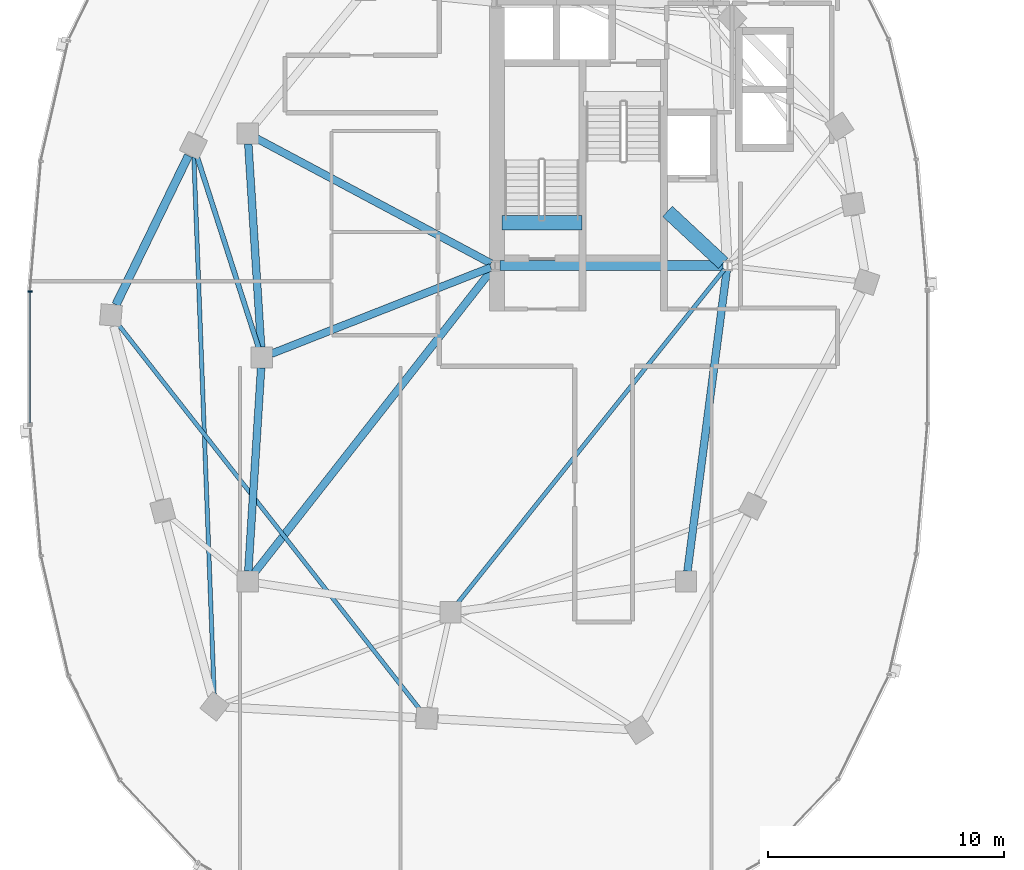
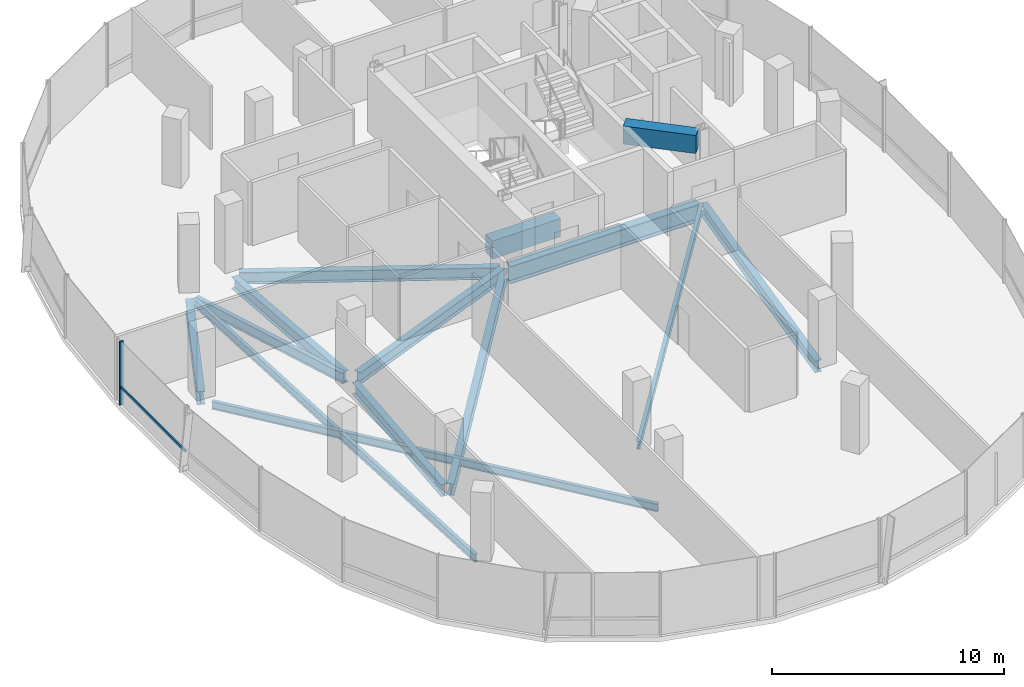
# One storey, part 4 of 25: 14 beams, 2 members, 1 element without a shape of its own.
"""IFC4 building model written with IfcOpenShell, lengths in metres."""

from ifc_helpers import new_model, si_unit, direction, frame, origin, origin_2d, place, context, subcontext, project, spatial, rectangle, i_section, extrude, material, material_profile, profile_set, type_object, element, aggregate, save


model = new_model("IFC4")

# Units and contexts
model_context = context("Model", 3, precision=1e-05, world=origin(), true_north=direction((0.0, 1.0)))
body_context = subcontext(model_context, "Body", "Model", "MODEL_VIEW")
ifc_project = project(units=[si_unit("LENGTHUNIT", "METRE"), si_unit("AREAUNIT", "SQUARE_METRE"), si_unit("VOLUMEUNIT", "CUBIC_METRE"), si_unit("PLANEANGLEUNIT", "RADIAN"), si_unit("MASSUNIT", "GRAM", prefix="KILO"), si_unit("THERMODYNAMICTEMPERATUREUNIT", "KELVIN"), si_unit("POWERUNIT", "WATT")], contexts=[model_context])

# Site, building, storey
site_placement = place(None, origin())
site = spatial("IfcSite", under=ifc_project, at=site_placement, CompositionType="ELEMENT")
building_placement = place(site_placement, origin())
building = spatial("IfcBuilding", under=site, at=building_placement, Name="Cundina Bronze Exchange", CompositionType="ELEMENT")
storey_placement = place(building_placement, frame((0.0, 0.0, 191.800048828125)))
storey = spatial("IfcBuildingStorey", under=building, at=storey_placement, Name="L50", CompositionType="ELEMENT", Elevation=191.800048828125)

# Beams
ifc_material_1 = material(Name="Concrete C60/75", Category="concrete")
ifc_material_profile_1 = material_profile(ifc_material_1, rectangle(XDim=0.60009765625, YDim=0.949951171875, at=origin_2d()), Name="RC600X950", Category="concrete")
ifc_profile_set_1 = profile_set([ifc_material_profile_1], Name="Concrete C60/75")
beam_type_1 = type_object("IfcBeamType", Name="BM-COUP-RC950", PredefinedType="LINTEL", material=ifc_profile_set_1)
beam_1_placement = place(storey_placement, frame((-31.02001953125, 5.719970703125, -0.47509765625), z_axis=(1.0, 0.0, 0.0), x_axis=(0.0, 1.0, 0.0)))
element("IfcBeam", 1, at=beam_1_placement, inside=storey, type_object=beam_type_1, Name="L50 Stair W1 Landing Header Beam", PredefinedType="LINTEL", context=body_context, shape_type="SweptSolid", body=[
    extrude(rectangle(XDim=0.60009765625, YDim=0.949951171875, at=origin_2d()), origin(), (0.0, 0.0, 1.0), 3.39990234375),
])
beam_2_placement = place(storey_placement, frame((-23.989990234375, 6.199951171875, 2.864990234375), z_axis=(0.731490439815, -0.681851696822, 0.0), x_axis=(0.681851696822, 0.731490439815, 0.0)))
element("IfcBeam", 2, at=beam_2_placement, inside=storey, type_object=beam_type_1, Name="L50 W Core Shear Coupling Lintel Beam", PredefinedType="LINTEL", context=body_context, shape_type="SweptSolid", body=[
    extrude(rectangle(XDim=0.60009765625, YDim=0.949951171875, at=origin_2d()), origin(), (0.0, 0.0, 1.0), 3.226318359375),
])
ifc_material_2 = material(Name="Steel ASTM A992 Grade 50", Category="steel")
ifc_material_profile_2 = material_profile(ifc_material_2, i_section(OverallWidth=0.2119140625, OverallDepth=0.5439453125, WebThickness=0.01318359375, FlangeThickness=0.021240234375, FilletRadius=0.013916015625, at=origin_2d()), Name="W21X83", Category="steel")
ifc_profile_set_2 = profile_set([ifc_material_profile_2], Name="Steel ASTM A992 Grade 50")
beam_type_2 = type_object("IfcBeamType", Name="BM-FLR-W21A", PredefinedType="BEAM", material=ifc_profile_set_2)
beam_3_placement = place(storey_placement, frame((-41.334228515625, 0.4169921875, -0.531982421875), z_axis=(-0.30669751302, 0.951807036908, 0.0), x_axis=(-0.951807036908, -0.30669751302, 0.0)))
element("IfcBeam", 3, at=beam_3_placement, inside=storey, type_object=beam_type_2, Name="L50 Leg W Radial Floor Beam 07", PredefinedType="BEAM", context=body_context, shape_type="SweptSolid", body=[
    extrude(i_section(OverallWidth=0.2119140625, OverallDepth=0.5439453125, WebThickness=0.01318359375, FlangeThickness=0.021240234375, FilletRadius=0.013916015625, at=origin_2d()), origin(), (0.0, 0.0, 1.0), 8.529541015625),
])
ifc_material_profile_3 = material_profile(ifc_material_2, i_section(OverallWidth=0.178955078125, OverallDepth=0.409912109375, WebThickness=0.0087890625, FlangeThickness=0.014404296875, FilletRadius=0.010986328125, at=origin_2d()), Name="W16X45", Category="steel")
ifc_profile_set_3 = profile_set([ifc_material_profile_3], Name="Steel ASTM A992 Grade 50")
beam_type_3 = type_object("IfcBeamType", Name="BM-JST-W16", PredefinedType="JOIST", material=ifc_profile_set_3)
beam_4_placement = place(storey_placement, frame((-21.572509765625, 3.746826171875, -0.465087890625), z_axis=(-0.624364266872, -0.781133319129, 0.0), x_axis=(0.781133319129, -0.624364266872, 0.0)))
element("IfcBeam", 4, at=beam_4_placement, inside=storey, type_object=beam_type_3, Name="L50 W Interior Core-to-Ring Joist 2", PredefinedType="JOIST", context=body_context, shape_type="SweptSolid", body=[
    extrude(i_section(OverallWidth=0.178955078125, OverallDepth=0.409912109375, WebThickness=0.0087890625, FlangeThickness=0.014404296875, FilletRadius=0.010986328125, at=origin_2d()), origin(), (0.0, 0.0, 1.0), 18.184814453125),
])
beam_5_placement = place(storey_placement, frame((-44.08154296875, 8.51220703125, -0.465087890625), z_axis=(0.037784933381, -0.999285894431, 0.0), x_axis=(0.999285894431, 0.037784933381, 0.0)))
element("IfcBeam", 5, at=beam_5_placement, inside=storey, type_object=beam_type_3, Name="L50 Leg W Lobe Floor Joist 07-10", PredefinedType="JOIST", context=body_context, shape_type="SweptSolid", body=[
    extrude(i_section(OverallWidth=0.178955078125, OverallDepth=0.409912109375, WebThickness=0.0087890625, FlangeThickness=0.014404296875, FilletRadius=0.010986328125, at=origin_2d()), origin(), (0.0, 0.0, 1.0), 22.8408203125),
])
beam_6_placement = place(storey_placement, frame((-47.299072265625, 1.416015625, -0.465087890625), z_axis=(0.616801484103, -0.787118751656, 0.0), x_axis=(0.787118751656, 0.616801484103, 0.0)))
element("IfcBeam", 6, at=beam_6_placement, inside=storey, type_object=beam_type_3, Name="L50 Leg W Lobe Floor Joist 08-11", PredefinedType="JOIST", context=body_context, shape_type="SweptSolid", body=[
    extrude(i_section(OverallWidth=0.178955078125, OverallDepth=0.409912109375, WebThickness=0.0087890625, FlangeThickness=0.014404296875, FilletRadius=0.010986328125, at=origin_2d()), origin(), (0.0, 0.0, 1.0), 20.7490234375),
])
ifc_material_profile_4 = material_profile(ifc_material_2, i_section(OverallWidth=0.324951171875, OverallDepth=0.615966796875, WebThickness=0.013916015625, FlangeThickness=0.021484375, FilletRadius=0.01611328125, at=origin_2d()), Name="W24X117", Category="steel")
ifc_profile_set_4 = profile_set([ifc_material_profile_4], Name="Steel ASTM A992 Grade 50")
beam_type_4 = type_object("IfcBeamType", Name="BM-RING-W24", PredefinedType="USERDEFINED", material=ifc_profile_set_4)
for number, where, z_axis, x_axis, name in (
    (7, (-41.7724609375, 9.06298828125, -0.568115234375), (0.063046519736, -0.998010589297, 0.0), (0.998010589297, 0.063046519736, 0.0), "L50 W Inner Structural Ring Girder 03"),
    (8, (-41.2275390625, -0.43701171875, -0.568115234375), (-0.063046519736, -0.998010589297, 0.0), (0.998010589297, -0.063046519736, 0.0), "L50 W Inner Structural Ring Girder 04"),
):
    element("IfcBeam", number, at=place(storey_placement, frame(where, z_axis=z_axis, x_axis=x_axis)), inside=storey, type_object=beam_type_4, Name=name, ObjectType="GIRDER", PredefinedType="USERDEFINED", context=body_context, shape_type="SweptSolid", body=[
        extrude(i_section(OverallWidth=0.324951171875, OverallDepth=0.615966796875, WebThickness=0.013916015625, FlangeThickness=0.021484375, FilletRadius=0.01611328125, at=origin_2d()), origin(), (0.0, 0.0, 1.0), 8.64306640625),
    ])
beam_7_placement = place(storey_placement, frame((-23.143310546875, -9.065673828125, -0.568115234375), z_axis=(0.129501251979, 0.991579258424, 0.0), x_axis=(-0.991579258424, 0.129501251979, 0.0)))
element("IfcBeam", 9, at=beam_7_placement, inside=storey, type_object=beam_type_4, Name="L50 W Inner Structural Ring Girder 07", ObjectType="GIRDER", PredefinedType="USERDEFINED", context=body_context, shape_type="SweptSolid", body=[
    extrude(i_section(OverallWidth=0.324951171875, OverallDepth=0.615966796875, WebThickness=0.013916015625, FlangeThickness=0.021484375, FilletRadius=0.01611328125, at=origin_2d()), origin(), (0.0, 0.0, 1.0), 12.8798828125),
])
beam_8_placement = place(storey_placement, frame((-31.482421875, 3.828125, -0.568115234375), z_axis=(-0.930404106569, -0.366535398673, 0.0), x_axis=(0.366535398673, -0.930404106569, 0.0)))
element("IfcBeam", 10, at=beam_8_placement, inside=storey, type_object=beam_type_4, Name="L50 W Core-to-Waist Tie Beam 1", ObjectType="GIRDER", PredefinedType="USERDEFINED", context=body_context, shape_type="SweptSolid", body=[
    extrude(i_section(OverallWidth=0.324951171875, OverallDepth=0.615966796875, WebThickness=0.013916015625, FlangeThickness=0.021484375, FilletRadius=0.01611328125, at=origin_2d()), origin(), (0.0, 0.0, 1.0), 10.00634765625),
])
beam_9_placement = place(storey_placement, frame((-31.472900390625, 3.9921875, -0.568115234375), z_axis=(-0.882350541683, 0.470592734317, 0.0), x_axis=(-0.470592734317, -0.882350541683, 0.0)))
element("IfcBeam", 11, at=beam_9_placement, inside=storey, type_object=beam_type_4, Name="L50 W Core-to-Waist Tie Beam 2", ObjectType="GIRDER", PredefinedType="USERDEFINED", context=body_context, shape_type="SweptSolid", body=[
    extrude(i_section(OverallWidth=0.324951171875, OverallDepth=0.615966796875, WebThickness=0.013916015625, FlangeThickness=0.021484375, FilletRadius=0.01611328125, at=origin_2d()), origin(), (0.0, 0.0, 1.0), 11.26611328125),
])
beam_10_placement = place(storey_placement, frame((-31.4208984375, 3.74560546875, -0.568115234375), z_axis=(-0.616782900053, -0.787133314123, 0.0), x_axis=(0.787133314123, -0.616782900053, 0.0)))
element("IfcBeam", 12, at=beam_10_placement, inside=storey, type_object=beam_type_4, Name="L50 W Core-to-Waist Tie Beam 3", ObjectType="GIRDER", PredefinedType="USERDEFINED", context=body_context, shape_type="SweptSolid", body=[
    extrude(i_section(OverallWidth=0.324951171875, OverallDepth=0.615966796875, WebThickness=0.013916015625, FlangeThickness=0.021484375, FilletRadius=0.01611328125, at=origin_2d()), origin(), (0.0, 0.0, 1.0), 16.3896484375),
])
ifc_material_profile_5 = material_profile(ifc_material_2, i_section(OverallWidth=0.35498046875, OverallDepth=0.695068359375, WebThickness=0.015380859375, FlangeThickness=0.02490234375, FilletRadius=0.01806640625, at=origin_2d()), Name="W27X146", Category="steel")
ifc_profile_set_5 = profile_set([ifc_material_profile_5], Name="Steel ASTM A992 Grade 50")
beam_type_5 = type_object("IfcBeamType", Name="BM-RING-W27", PredefinedType="USERDEFINED", material=ifc_profile_set_5)
beam_11_placement = place(storey_placement, frame((-44.3134765625, 8.56103515625, -0.607666015625), z_axis=(-0.437196998825, -0.89936576776, 0.0), x_axis=(0.89936576776, -0.437196998825, 0.0)))
element("IfcBeam", 13, at=beam_11_placement, inside=storey, type_object=beam_type_5, Name="L50 W Perimeter Ring Girder 07", ObjectType="GIRDER", PredefinedType="USERDEFINED", context=body_context, shape_type="SweptSolid", body=[
    extrude(i_section(OverallWidth=0.35498046875, OverallDepth=0.695068359375, WebThickness=0.015380859375, FlangeThickness=0.02490234375, FilletRadius=0.01806640625, at=origin_2d()), origin(), (0.0, 0.0, 1.0), 7.029541015625),
])
ifc_material_profile_6 = material_profile(ifc_material_2, i_section(OverallWidth=0.41796875, OverallDepth=0.927001953125, WebThickness=0.019287109375, FlangeThickness=0.031982421875, FilletRadius=0.02392578125, at=origin_2d()), Name="W36X231", Category="steel")
ifc_profile_set_6 = profile_set([ifc_material_profile_6], Name="Steel ASTM A992 Grade 50")
beam_type_6 = type_object("IfcBeamType", Name="BM-WRN-W36B", PredefinedType="USERDEFINED", material=ifc_profile_set_6)
beam_12_placement = place(storey_placement, frame((-31.10400390625, 3.89990234375, -0.7236328125), z_axis=(1.0, 0.0, 0.0), x_axis=(0.0, 1.0, 0.0)))
element("IfcBeam", 14, at=beam_12_placement, inside=storey, type_object=beam_type_6, Name="L50 W Core Perimeter Tie Girder 1", ObjectType="GIRDER", PredefinedType="USERDEFINED", context=body_context, shape_type="SweptSolid", body=[
    extrude(i_section(OverallWidth=0.41796875, OverallDepth=0.927001953125, WebThickness=0.019287109375, FlangeThickness=0.031982421875, FilletRadius=0.02392578125, at=origin_2d()), origin(), (0.0, 0.0, 1.0), 9.4580078125),
])

# Curtain wall, members
ifc_material_3 = material(Name="Anodised Bronze Aluminium 6063-T6", Category="aluminium")
curtain_wall_type = type_object("IfcCurtainWallType", Name="CWS-UPP-OFF", PredefinedType="NOTDEFINED", material=ifc_material_3)
curtain_wall_placement = place(storey_placement, origin())
curtain_wall = element("IfcCurtainWall", 15, at=curtain_wall_placement, inside=storey, type_object=curtain_wall_type, Name="L50 CW-05 Curtain Wall Run CWR-L50-W2", PredefinedType="NOTDEFINED")
ifc_material_profile_7 = material_profile(ifc_material_3, rectangle(XDim=0.070068359375, YDim=0.18994140625, at=origin_2d()), Name="AL70X190", Category="aluminium")
ifc_profile_set_7 = profile_set([ifc_material_profile_7], Name="Anodised Bronze Aluminium 6063-T6")
member_type_1 = type_object("IfcMemberType", Name="CWM-MUL-190", PredefinedType="MULLION", material=ifc_profile_set_7)
member_1_placement = place(storey_placement, frame((-51.033935546875, 2.794921875, 0.0), z_axis=(0.0, 0.0, 1.0), x_axis=(0.0, -1.0, 0.0)))
member_1 = element("IfcMember", 16, at=member_1_placement, type_object=member_type_1, Name="CW-05 Mullion 7", PredefinedType="MULLION", context=body_context, shape_type="SweptSolid", body=[
    extrude(rectangle(XDim=0.070068359375, YDim=0.18994140625, at=origin_2d()), origin(), (0.0, 0.0, 1.0), 3.33984375),
])
ifc_material_profile_8 = material_profile(ifc_material_3, rectangle(XDim=0.06494140625, YDim=0.14990234375, at=origin_2d()), Name="AL65X150", Category="aluminium")
ifc_profile_set_8 = profile_set([ifc_material_profile_8], Name="Anodised Bronze Aluminium 6063-T6")
member_type_2 = type_object("IfcMemberType", Name="CWM-TRN-150", PredefinedType="USERDEFINED", material=ifc_profile_set_8)
member_2_placement = place(storey_placement, frame((-51.033935546875, 2.756591796875, 0.919921875), z_axis=(0.0, -1.0, 0.0), x_axis=(1.0, 0.0, 0.0)))
member_2 = element("IfcMember", 17, at=member_2_placement, type_object=member_type_2, Name="CW-05 Spandrel Transom 7", ObjectType="TRANSOM", PredefinedType="USERDEFINED", context=body_context, shape_type="SweptSolid", body=[
    extrude(rectangle(XDim=0.06494140625, YDim=0.14990234375, at=origin_2d()), origin(), (0.0, 0.0, 1.0), 5.51318359375),
])
aggregate(curtain_wall, [member_1, member_2])

save(model, "model.ifc")
